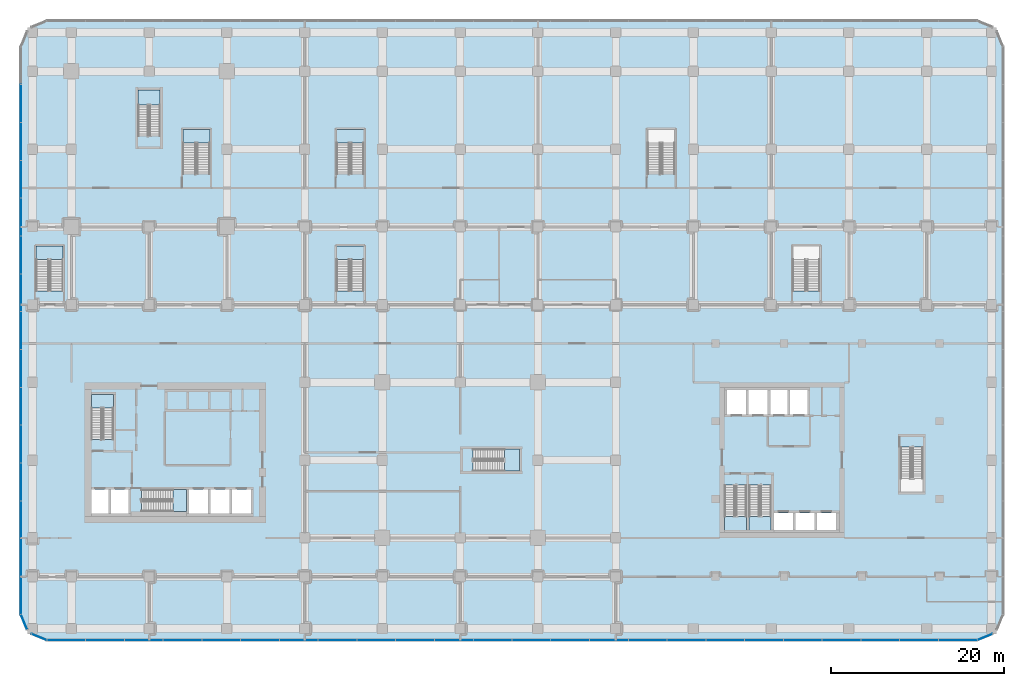
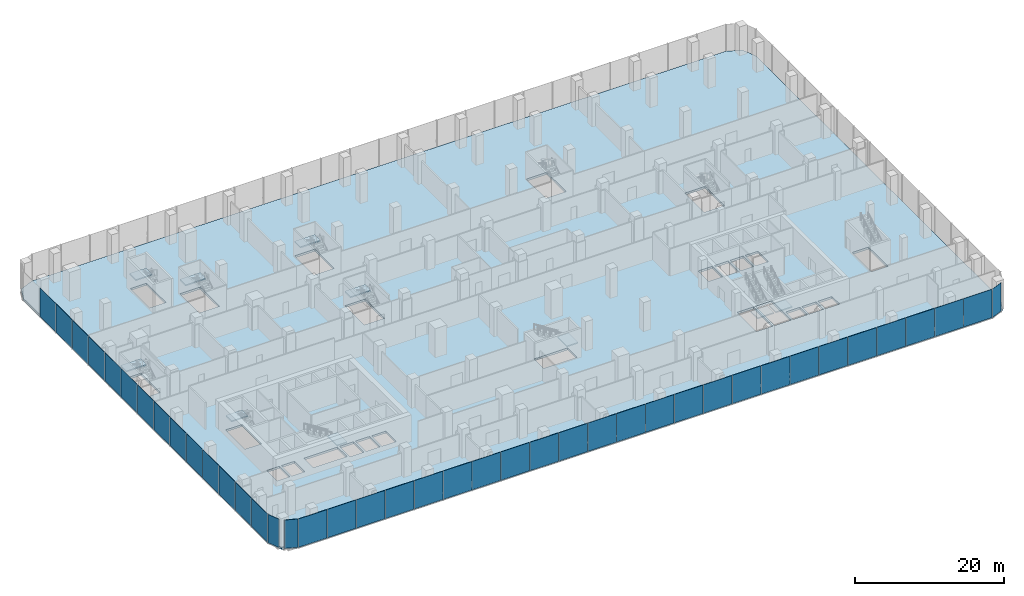
# One storey, part 26 of 42: 41 plates, 11 slabs, 15 elements without a shape of their own.
"""IFC4 building model written with IfcOpenShell, lengths in metres."""

from ifc_helpers import new_model, si_unit, direction, frame, origin, origin_2d, place, context, subcontext, project, spatial, polyline, rectangle, outline, extrude, material, layer, layer_set, type_object, element, aggregate, save


model = new_model("IFC4")

# Units and contexts
model_context = context("Model", 3, precision=1e-05, world=origin(), true_north=direction((0.0, 1.0)))
body_context = subcontext(model_context, "Body", "Model", "MODEL_VIEW")
ifc_project = project(units=[si_unit("LENGTHUNIT", "METRE"), si_unit("AREAUNIT", "SQUARE_METRE"), si_unit("VOLUMEUNIT", "CUBIC_METRE"), si_unit("PLANEANGLEUNIT", "RADIAN"), si_unit("MASSUNIT", "GRAM", prefix="KILO")], contexts=[model_context])

# Site, building, storey
site_placement = place(None, origin())
site = spatial("IfcSite", under=ifc_project, at=site_placement, CompositionType="ELEMENT")
building_placement = place(site_placement, origin())
building = spatial("IfcBuilding", under=site, at=building_placement, Name="Plateau Cross Towers", CompositionType="ELEMENT")
storey_placement = place(building_placement, frame((0.0, 0.0, 8.0)))
storey = spatial("IfcBuildingStorey", under=building, at=storey_placement, Name="L01", CompositionType="ELEMENT", Elevation=8.0)

# Curtain wall, plates
ifc_material_1 = material(Name="Dark low-iron laminated glass", Category="glass")
ifc_layer_1 = layer(ifc_material_1, 0.300048828125)
ifc_layer_set_1 = layer_set([ifc_layer_1], Name="Dark low-iron laminated glass")
curtain_wall_type = type_object("IfcCurtainWallType", Name="Curtain wall structural silicone CW-C", PredefinedType="NOTDEFINED", material=ifc_layer_set_1)
curtain_wall_1_placement = place(storey_placement, origin())
curtain_wall_1 = element("IfcCurtainWall", 1, at=curtain_wall_1_placement, inside=storey, type_object=curtain_wall_type, Name="ENV/P/L01/P-28_-118", PredefinedType="NOTDEFINED")
ifc_layer_2 = layer(ifc_material_1, 0.0439453125)
ifc_layer_set_2 = layer_set([ifc_layer_2], Name="Dark low-iron laminated glass")
plate_type = type_object("IfcPlateType", Name="Glass panel 44 structural silicone", PredefinedType="CURTAIN_PANEL", material=ifc_layer_set_2)
plate_1_placement = place(storey_placement, frame((-0.606201171875, -11.85009765625, -0.199951171875), z_axis=(0.0, 0.0, 1.0), x_axis=(1.0, 0.0, 0.0)))
plate_1 = element("IfcPlate", 2, at=plate_1_placement, type_object=plate_type, Name="CW-C panel 1", PredefinedType="CURTAIN_PANEL", context=body_context, shape_type="SweptSolid", body=[
    extrude(rectangle(XDim=4.4375, YDim=0.0439453125, at=origin_2d()), origin(), (0.0, 0.0, 1.0), 4.64990234375),
])
plate_2_placement = place(storey_placement, frame((3.88134765625, -11.85009765625, -0.199951171875), z_axis=(0.0, 0.0, 1.0), x_axis=(1.0, 0.0, 0.0)))
plate_2 = element("IfcPlate", 3, at=plate_2_placement, type_object=plate_type, Name="CW-C panel 2", PredefinedType="CURTAIN_PANEL", context=body_context, shape_type="SweptSolid", body=[
    extrude(rectangle(XDim=4.4375, YDim=0.0439453125, at=origin_2d()), origin(), (0.0, 0.0, 1.0), 4.64990234375),
])
plate_3_placement = place(storey_placement, frame((8.36865234375, -11.85009765625, -0.199951171875), z_axis=(0.0, 0.0, 1.0), x_axis=(1.0, 0.0, 0.0)))
plate_3 = element("IfcPlate", 4, at=plate_3_placement, type_object=plate_type, Name="CW-C panel 3", PredefinedType="CURTAIN_PANEL", context=body_context, shape_type="SweptSolid", body=[
    extrude(rectangle(XDim=4.4375, YDim=0.0439453125, at=origin_2d()), origin(), (0.0, 0.0, 1.0), 4.64990234375),
])
plate_4_placement = place(storey_placement, frame((12.856201171875, -11.85009765625, -0.199951171875), z_axis=(0.0, 0.0, 1.0), x_axis=(1.0, 0.0, 0.0)))
plate_4 = element("IfcPlate", 5, at=plate_4_placement, type_object=plate_type, Name="CW-C panel 4", PredefinedType="CURTAIN_PANEL", context=body_context, shape_type="SweptSolid", body=[
    extrude(rectangle(XDim=4.4375, YDim=0.0439453125, at=origin_2d()), origin(), (0.0, 0.0, 1.0), 4.64990234375),
])
plate_5_placement = place(storey_placement, frame((17.34375, -11.85009765625, -0.199951171875), z_axis=(0.0, 0.0, 1.0), x_axis=(1.0, 0.0, 0.0)))
plate_5 = element("IfcPlate", 6, at=plate_5_placement, type_object=plate_type, Name="CW-C panel 5", PredefinedType="CURTAIN_PANEL", context=body_context, shape_type="SweptSolid", body=[
    extrude(rectangle(XDim=4.4375, YDim=0.0439453125, at=origin_2d()), origin(), (0.0, 0.0, 1.0), 4.64990234375),
])
plate_6_placement = place(storey_placement, frame((21.831298828125, -11.85009765625, -0.199951171875), z_axis=(0.0, 0.0, 1.0), x_axis=(1.0, 0.0, 0.0)))
plate_6 = element("IfcPlate", 7, at=plate_6_placement, type_object=plate_type, Name="CW-C panel 6", PredefinedType="CURTAIN_PANEL", context=body_context, shape_type="SweptSolid", body=[
    extrude(rectangle(XDim=4.4375, YDim=0.0439453125, at=origin_2d()), origin(), (0.0, 0.0, 1.0), 4.64990234375),
])
plate_7_placement = place(storey_placement, frame((26.31884765625, -11.85009765625, -0.199951171875), z_axis=(0.0, 0.0, 1.0), x_axis=(1.0, 0.0, 0.0)))
plate_7 = element("IfcPlate", 8, at=plate_7_placement, type_object=plate_type, Name="CW-C panel 7", PredefinedType="CURTAIN_PANEL", context=body_context, shape_type="SweptSolid", body=[
    extrude(rectangle(XDim=4.4375, YDim=0.0439453125, at=origin_2d()), origin(), (0.0, 0.0, 1.0), 4.64990234375),
])
plate_8_placement = place(storey_placement, frame((30.80615234375, -11.85009765625, -0.199951171875), z_axis=(0.0, 0.0, 1.0), x_axis=(1.0, 0.0, 0.0)))
plate_8 = element("IfcPlate", 9, at=plate_8_placement, type_object=plate_type, Name="CW-C panel 8", PredefinedType="CURTAIN_PANEL", context=body_context, shape_type="SweptSolid", body=[
    extrude(rectangle(XDim=4.4375, YDim=0.0439453125, at=origin_2d()), origin(), (0.0, 0.0, 1.0), 4.64990234375),
])
plate_9_placement = place(storey_placement, frame((35.293701171875, -11.85009765625, -0.199951171875), z_axis=(0.0, 0.0, 1.0), x_axis=(1.0, 0.0, 0.0)))
plate_9 = element("IfcPlate", 10, at=plate_9_placement, type_object=plate_type, Name="CW-C panel 9", PredefinedType="CURTAIN_PANEL", context=body_context, shape_type="SweptSolid", body=[
    extrude(rectangle(XDim=4.4375, YDim=0.0439453125, at=origin_2d()), origin(), (0.0, 0.0, 1.0), 4.64990234375),
])
plate_10_placement = place(storey_placement, frame((39.78125, -11.85009765625, -0.199951171875), z_axis=(0.0, 0.0, 1.0), x_axis=(1.0, 0.0, 0.0)))
plate_10 = element("IfcPlate", 11, at=plate_10_placement, type_object=plate_type, Name="CW-C panel 10", PredefinedType="CURTAIN_PANEL", context=body_context, shape_type="SweptSolid", body=[
    extrude(rectangle(XDim=4.4375, YDim=0.0439453125, at=origin_2d()), origin(), (0.0, 0.0, 1.0), 4.64990234375),
])
plate_11_placement = place(storey_placement, frame((44.268798828125, -11.85009765625, -0.199951171875), z_axis=(0.0, 0.0, 1.0), x_axis=(1.0, 0.0, 0.0)))
plate_11 = element("IfcPlate", 12, at=plate_11_placement, type_object=plate_type, Name="CW-C panel 11", PredefinedType="CURTAIN_PANEL", context=body_context, shape_type="SweptSolid", body=[
    extrude(rectangle(XDim=4.4375, YDim=0.0439453125, at=origin_2d()), origin(), (0.0, 0.0, 1.0), 4.64990234375),
])
plate_12_placement = place(storey_placement, frame((48.75634765625, -11.85009765625, -0.199951171875), z_axis=(0.0, 0.0, 1.0), x_axis=(1.0, 0.0, 0.0)))
plate_12 = element("IfcPlate", 13, at=plate_12_placement, type_object=plate_type, Name="CW-C panel 12", PredefinedType="CURTAIN_PANEL", context=body_context, shape_type="SweptSolid", body=[
    extrude(rectangle(XDim=4.4375, YDim=0.0439453125, at=origin_2d()), origin(), (0.0, 0.0, 1.0), 4.64990234375),
])
plate_13_placement = place(storey_placement, frame((53.24365234375, -11.85009765625, -0.199951171875), z_axis=(0.0, 0.0, 1.0), x_axis=(1.0, 0.0, 0.0)))
plate_13 = element("IfcPlate", 14, at=plate_13_placement, type_object=plate_type, Name="CW-C panel 13", PredefinedType="CURTAIN_PANEL", context=body_context, shape_type="SweptSolid", body=[
    extrude(rectangle(XDim=4.4375, YDim=0.0439453125, at=origin_2d()), origin(), (0.0, 0.0, 1.0), 4.64990234375),
])
plate_14_placement = place(storey_placement, frame((57.731201171875, -11.85009765625, -0.199951171875), z_axis=(0.0, 0.0, 1.0), x_axis=(1.0, 0.0, 0.0)))
plate_14 = element("IfcPlate", 15, at=plate_14_placement, type_object=plate_type, Name="CW-C panel 14", PredefinedType="CURTAIN_PANEL", context=body_context, shape_type="SweptSolid", body=[
    extrude(rectangle(XDim=4.4375, YDim=0.0439453125, at=origin_2d()), origin(), (0.0, 0.0, 1.0), 4.64990234375),
])
plate_15_placement = place(storey_placement, frame((62.21875, -11.85009765625, -0.199951171875), z_axis=(0.0, 0.0, 1.0), x_axis=(1.0, 0.0, 0.0)))
plate_15 = element("IfcPlate", 16, at=plate_15_placement, type_object=plate_type, Name="CW-C panel 15", PredefinedType="CURTAIN_PANEL", context=body_context, shape_type="SweptSolid", body=[
    extrude(rectangle(XDim=4.4375, YDim=0.0439453125, at=origin_2d()), origin(), (0.0, 0.0, 1.0), 4.64990234375),
])
plate_16_placement = place(storey_placement, frame((66.706298828125, -11.85009765625, -0.199951171875), z_axis=(0.0, 0.0, 1.0), x_axis=(1.0, 0.0, 0.0)))
plate_16 = element("IfcPlate", 17, at=plate_16_placement, type_object=plate_type, Name="CW-C panel 16", PredefinedType="CURTAIN_PANEL", context=body_context, shape_type="SweptSolid", body=[
    extrude(rectangle(XDim=4.4375, YDim=0.0439453125, at=origin_2d()), origin(), (0.0, 0.0, 1.0), 4.64990234375),
])
plate_17_placement = place(storey_placement, frame((71.19384765625, -11.85009765625, -0.199951171875), z_axis=(0.0, 0.0, 1.0), x_axis=(1.0, 0.0, 0.0)))
plate_17 = element("IfcPlate", 18, at=plate_17_placement, type_object=plate_type, Name="CW-C panel 17", PredefinedType="CURTAIN_PANEL", context=body_context, shape_type="SweptSolid", body=[
    extrude(rectangle(XDim=4.4375, YDim=0.0439453125, at=origin_2d()), origin(), (0.0, 0.0, 1.0), 4.64990234375),
])
plate_18_placement = place(storey_placement, frame((75.68115234375, -11.85009765625, -0.199951171875), z_axis=(0.0, 0.0, 1.0), x_axis=(1.0, 0.0, 0.0)))
plate_18 = element("IfcPlate", 19, at=plate_18_placement, type_object=plate_type, Name="CW-C panel 18", PredefinedType="CURTAIN_PANEL", context=body_context, shape_type="SweptSolid", body=[
    extrude(rectangle(XDim=4.4375, YDim=0.0439453125, at=origin_2d()), origin(), (0.0, 0.0, 1.0), 4.64990234375),
])
plate_19_placement = place(storey_placement, frame((80.168701171875, -11.85009765625, -0.199951171875), z_axis=(0.0, 0.0, 1.0), x_axis=(1.0, 0.0, 0.0)))
plate_19 = element("IfcPlate", 20, at=plate_19_placement, type_object=plate_type, Name="CW-C panel 19", PredefinedType="CURTAIN_PANEL", context=body_context, shape_type="SweptSolid", body=[
    extrude(rectangle(XDim=4.4375, YDim=0.0439453125, at=origin_2d()), origin(), (0.0, 0.0, 1.0), 4.64990234375),
])
plate_20_placement = place(storey_placement, frame((84.65625, -11.85009765625, -0.199951171875), z_axis=(0.0, 0.0, 1.0), x_axis=(1.0, 0.0, 0.0)))
plate_20 = element("IfcPlate", 21, at=plate_20_placement, type_object=plate_type, Name="CW-C panel 20", PredefinedType="CURTAIN_PANEL", context=body_context, shape_type="SweptSolid", body=[
    extrude(rectangle(XDim=4.4375, YDim=0.0439453125, at=origin_2d()), origin(), (0.0, 0.0, 1.0), 4.64990234375),
])
plate_21_placement = place(storey_placement, frame((89.143798828125, -11.85009765625, -0.199951171875), z_axis=(0.0, 0.0, 1.0), x_axis=(1.0, 0.0, 0.0)))
plate_21 = element("IfcPlate", 22, at=plate_21_placement, type_object=plate_type, Name="CW-C panel 21", PredefinedType="CURTAIN_PANEL", context=body_context, shape_type="SweptSolid", body=[
    extrude(rectangle(XDim=4.4375, YDim=0.0439453125, at=origin_2d()), origin(), (0.0, 0.0, 1.0), 4.64990234375),
])
plate_22_placement = place(storey_placement, frame((93.63134765625, -11.85009765625, -0.199951171875), z_axis=(0.0, 0.0, 1.0), x_axis=(1.0, 0.0, 0.0)))
plate_22 = element("IfcPlate", 23, at=plate_22_placement, type_object=plate_type, Name="CW-C panel 22", PredefinedType="CURTAIN_PANEL", context=body_context, shape_type="SweptSolid", body=[
    extrude(rectangle(XDim=4.4375, YDim=0.0439453125, at=origin_2d()), origin(), (0.0, 0.0, 1.0), 4.64990234375),
])
plate_23_placement = place(storey_placement, frame((98.11865234375, -11.85009765625, -0.199951171875), z_axis=(0.0, 0.0, 1.0), x_axis=(1.0, 0.0, 0.0)))
plate_23 = element("IfcPlate", 24, at=plate_23_placement, type_object=plate_type, Name="CW-C panel 23", PredefinedType="CURTAIN_PANEL", context=body_context, shape_type="SweptSolid", body=[
    extrude(rectangle(XDim=4.4375, YDim=0.0439453125, at=origin_2d()), origin(), (0.0, 0.0, 1.0), 4.64990234375),
])
plate_24_placement = place(storey_placement, frame((102.606201171875, -11.85009765625, -0.199951171875), z_axis=(0.0, 0.0, 1.0), x_axis=(1.0, 0.0, 0.0)))
plate_24 = element("IfcPlate", 25, at=plate_24_placement, type_object=plate_type, Name="CW-C panel 24", PredefinedType="CURTAIN_PANEL", context=body_context, shape_type="SweptSolid", body=[
    extrude(rectangle(XDim=4.4375, YDim=0.0439453125, at=origin_2d()), origin(), (0.0, 0.0, 1.0), 4.64990234375),
])
aggregate(curtain_wall_1, [plate_1, plate_2, plate_3, plate_4, plate_5, plate_6, plate_7, plate_8, plate_9, plate_10, plate_11, plate_12, plate_13, plate_14, plate_15, plate_16, plate_17, plate_18, plate_19, plate_20, plate_21, plate_22, plate_23, plate_24])

# Curtain wall, plate
curtain_wall_2_placement = place(storey_placement, origin())
curtain_wall_2 = element("IfcCurtainWall", 26, at=curtain_wall_2_placement, inside=storey, type_object=curtain_wall_type, Name="ENV/P/L01/P1048_-118", PredefinedType="NOTDEFINED")
plate_25_placement = place(storey_placement, frame((105.731201171875, -11.485107421875, -0.199951171875), z_axis=(0.0, 0.0, 1.0), x_axis=(0.923879457699, 0.382683612978, 0.0)))
plate_25 = element("IfcPlate", 27, at=plate_25_placement, type_object=plate_type, Name="CW-C panel 1", PredefinedType="CURTAIN_PANEL", context=body_context, shape_type="SweptSolid", body=[
    extrude(rectangle(XDim=1.857666015625, YDim=0.0439453125, at=origin_2d()), origin(), (0.0, 0.0, 1.0), 4.64990234375),
])
aggregate(curtain_wall_2, [plate_25])

# Curtain wall, plates
curtain_wall_3_placement = place(storey_placement, origin())
curtain_wall_3 = element("IfcCurtainWall", 28, at=curtain_wall_3_placement, inside=storey, type_object=curtain_wall_type, Name="ENV/P/L01/P-58_568", PredefinedType="NOTDEFINED")
plate_26_placement = place(storey_placement, frame((-5.85009765625, 50.280029296875, -0.199951171875), z_axis=(0.0, 0.0, 1.0), x_axis=(0.0, -1.0, 0.0)))
plate_26 = element("IfcPlate", 29, at=plate_26_placement, type_object=plate_type, Name="CW-C panel 2", PredefinedType="CURTAIN_PANEL", context=body_context, shape_type="SweptSolid", body=[
    extrude(rectangle(XDim=4.330078125, YDim=0.0439453125, at=origin_2d()), origin(), (0.0, 0.0, 1.0), 4.64990234375),
])
plate_27_placement = place(storey_placement, frame((-5.85009765625, 45.89990234375, -0.199951171875), z_axis=(0.0, 0.0, 1.0), x_axis=(0.0, -1.0, 0.0)))
plate_27 = element("IfcPlate", 30, at=plate_27_placement, type_object=plate_type, Name="CW-C panel 3", PredefinedType="CURTAIN_PANEL", context=body_context, shape_type="SweptSolid", body=[
    extrude(rectangle(XDim=4.330078125, YDim=0.0439453125, at=origin_2d()), origin(), (0.0, 0.0, 1.0), 4.64990234375),
])
plate_28_placement = place(storey_placement, frame((-5.85009765625, 41.52001953125, -0.199951171875), z_axis=(0.0, 0.0, 1.0), x_axis=(0.0, -1.0, 0.0)))
plate_28 = element("IfcPlate", 31, at=plate_28_placement, type_object=plate_type, Name="CW-C panel 4", PredefinedType="CURTAIN_PANEL", context=body_context, shape_type="SweptSolid", body=[
    extrude(rectangle(XDim=4.330078125, YDim=0.0439453125, at=origin_2d()), origin(), (0.0, 0.0, 1.0), 4.64990234375),
])
plate_29_placement = place(storey_placement, frame((-5.85009765625, 37.139892578125, -0.199951171875), z_axis=(0.0, 0.0, 1.0), x_axis=(0.0, -1.0, 0.0)))
plate_29 = element("IfcPlate", 32, at=plate_29_placement, type_object=plate_type, Name="CW-C panel 5", PredefinedType="CURTAIN_PANEL", context=body_context, shape_type="SweptSolid", body=[
    extrude(rectangle(XDim=4.330078125, YDim=0.0439453125, at=origin_2d()), origin(), (0.0, 0.0, 1.0), 4.64990234375),
])
plate_30_placement = place(storey_placement, frame((-5.85009765625, 32.760009765625, -0.199951171875), z_axis=(0.0, 0.0, 1.0), x_axis=(0.0, -1.0, 0.0)))
plate_30 = element("IfcPlate", 33, at=plate_30_placement, type_object=plate_type, Name="CW-C panel 6", PredefinedType="CURTAIN_PANEL", context=body_context, shape_type="SweptSolid", body=[
    extrude(rectangle(XDim=4.330078125, YDim=0.0439453125, at=origin_2d()), origin(), (0.0, 0.0, 1.0), 4.64990234375),
])
plate_31_placement = place(storey_placement, frame((-5.85009765625, 28.3798828125, -0.199951171875), z_axis=(0.0, 0.0, 1.0), x_axis=(0.0, -1.0, 0.0)))
plate_31 = element("IfcPlate", 34, at=plate_31_placement, type_object=plate_type, Name="CW-C panel 7", PredefinedType="CURTAIN_PANEL", context=body_context, shape_type="SweptSolid", body=[
    extrude(rectangle(XDim=4.330078125, YDim=0.0439453125, at=origin_2d()), origin(), (0.0, 0.0, 1.0), 4.64990234375),
])
plate_32_placement = place(storey_placement, frame((-5.85009765625, 24.0, -0.199951171875), z_axis=(0.0, 0.0, 1.0), x_axis=(0.0, -1.0, 0.0)))
plate_32 = element("IfcPlate", 35, at=plate_32_placement, type_object=plate_type, Name="CW-C panel 8", PredefinedType="CURTAIN_PANEL", context=body_context, shape_type="SweptSolid", body=[
    extrude(rectangle(XDim=4.330078125, YDim=0.0439453125, at=origin_2d()), origin(), (0.0, 0.0, 1.0), 4.64990234375),
])
plate_33_placement = place(storey_placement, frame((-5.85009765625, 19.6201171875, -0.199951171875), z_axis=(0.0, 0.0, 1.0), x_axis=(0.0, -1.0, 0.0)))
plate_33 = element("IfcPlate", 36, at=plate_33_placement, type_object=plate_type, Name="CW-C panel 9", PredefinedType="CURTAIN_PANEL", context=body_context, shape_type="SweptSolid", body=[
    extrude(rectangle(XDim=4.330078125, YDim=0.0439453125, at=origin_2d()), origin(), (0.0, 0.0, 1.0), 4.64990234375),
])
plate_34_placement = place(storey_placement, frame((-5.85009765625, 15.239990234375, -0.199951171875), z_axis=(0.0, 0.0, 1.0), x_axis=(0.0, -1.0, 0.0)))
plate_34 = element("IfcPlate", 37, at=plate_34_placement, type_object=plate_type, Name="CW-C panel 10", PredefinedType="CURTAIN_PANEL", context=body_context, shape_type="SweptSolid", body=[
    extrude(rectangle(XDim=4.330078125, YDim=0.0439453125, at=origin_2d()), origin(), (0.0, 0.0, 1.0), 4.64990234375),
])
plate_35_placement = place(storey_placement, frame((-5.85009765625, 10.860107421875, -0.199951171875), z_axis=(0.0, 0.0, 1.0), x_axis=(0.0, -1.0, 0.0)))
plate_35 = element("IfcPlate", 38, at=plate_35_placement, type_object=plate_type, Name="CW-C panel 11", PredefinedType="CURTAIN_PANEL", context=body_context, shape_type="SweptSolid", body=[
    extrude(rectangle(XDim=4.330078125, YDim=0.0439453125, at=origin_2d()), origin(), (0.0, 0.0, 1.0), 4.64990234375),
])
plate_36_placement = place(storey_placement, frame((-5.85009765625, 6.47998046875, -0.199951171875), z_axis=(0.0, 0.0, 1.0), x_axis=(0.0, -1.0, 0.0)))
plate_36 = element("IfcPlate", 39, at=plate_36_placement, type_object=plate_type, Name="CW-C panel 12", PredefinedType="CURTAIN_PANEL", context=body_context, shape_type="SweptSolid", body=[
    extrude(rectangle(XDim=4.330078125, YDim=0.0439453125, at=origin_2d()), origin(), (0.0, 0.0, 1.0), 4.64990234375),
])
plate_37_placement = place(storey_placement, frame((-5.85009765625, 2.10009765625, -0.199951171875), z_axis=(0.0, 0.0, 1.0), x_axis=(0.0, -1.0, 0.0)))
plate_37 = element("IfcPlate", 40, at=plate_37_placement, type_object=plate_type, Name="CW-C panel 13", PredefinedType="CURTAIN_PANEL", context=body_context, shape_type="SweptSolid", body=[
    extrude(rectangle(XDim=4.330078125, YDim=0.0439453125, at=origin_2d()), origin(), (0.0, 0.0, 1.0), 4.64990234375),
])
plate_38_placement = place(storey_placement, frame((-5.85009765625, -2.280029296875, -0.199951171875), z_axis=(0.0, 0.0, 1.0), x_axis=(0.0, -1.0, 0.0)))
plate_38 = element("IfcPlate", 41, at=plate_38_placement, type_object=plate_type, Name="CW-C panel 14", PredefinedType="CURTAIN_PANEL", context=body_context, shape_type="SweptSolid", body=[
    extrude(rectangle(XDim=4.330078125, YDim=0.0439453125, at=origin_2d()), origin(), (0.0, 0.0, 1.0), 4.64990234375),
])
plate_39_placement = place(storey_placement, frame((-5.85009765625, -6.659912109375, -0.199951171875), z_axis=(0.0, 0.0, 1.0), x_axis=(0.0, -1.0, 0.0)))
plate_39 = element("IfcPlate", 42, at=plate_39_placement, type_object=plate_type, Name="CW-C panel 15", PredefinedType="CURTAIN_PANEL", context=body_context, shape_type="SweptSolid", body=[
    extrude(rectangle(XDim=4.330078125, YDim=0.0439453125, at=origin_2d()), origin(), (0.0, 0.0, 1.0), 4.64990234375),
])
aggregate(curtain_wall_3, [plate_26, plate_27, plate_28, plate_29, plate_30, plate_31, plate_32, plate_33, plate_34, plate_35, plate_36, plate_37, plate_38, plate_39])

# Curtain wall, plate
curtain_wall_4_placement = place(storey_placement, origin())
curtain_wall_4 = element("IfcCurtainWall", 43, at=curtain_wall_4_placement, inside=storey, type_object=curtain_wall_type, Name="ENV/P/L01/P-58_-88", PredefinedType="NOTDEFINED")
plate_40_placement = place(storey_placement, frame((-5.485107421875, -9.731201171875, -0.199951171875), z_axis=(0.0, 0.0, 1.0), x_axis=(0.382683612978, -0.923879457699, 0.0)))
plate_40 = element("IfcPlate", 44, at=plate_40_placement, type_object=plate_type, Name="CW-C panel 1", PredefinedType="CURTAIN_PANEL", context=body_context, shape_type="SweptSolid", body=[
    extrude(rectangle(XDim=1.857666015625, YDim=0.0439453125, at=origin_2d()), origin(), (0.0, 0.0, 1.0), 4.64990234375),
])
aggregate(curtain_wall_4, [plate_40])

curtain_wall_5_placement = place(storey_placement, origin())
curtain_wall_5 = element("IfcCurtainWall", 45, at=curtain_wall_5_placement, inside=storey, type_object=curtain_wall_type, Name="ENV/P/L01/P-46_-111", PredefinedType="NOTDEFINED")
plate_41_placement = place(storey_placement, frame((-3.731201171875, -11.485107421875, -0.199951171875), z_axis=(0.0, 0.0, 1.0), x_axis=(0.923879457699, -0.382683612978, 0.0)))
plate_41 = element("IfcPlate", 46, at=plate_41_placement, type_object=plate_type, Name="CW-C panel 1", PredefinedType="CURTAIN_PANEL", context=body_context, shape_type="SweptSolid", body=[
    extrude(rectangle(XDim=1.857666015625, YDim=0.0439453125, at=origin_2d()), origin(), (0.0, 0.0, 1.0), 4.64990234375),
])
aggregate(curtain_wall_5, [plate_41])

# Slab
ifc_material_2 = material(Name="Concrete C40/50", Category="concrete")
ifc_layer_3 = layer(ifc_material_2, 0.35009765625)
ifc_layer_set_3 = layer_set([ifc_layer_3], Name="Concrete C40/50")
slab_type_1 = type_object("IfcSlabType", Name="Post-tensioned flat plate slab 350", PredefinedType="FLOOR", material=ifc_layer_set_3)
slab_1_placement = place(storey_placement, frame((0.0, 0.0, -0.35009765625)))
element("IfcSlab", 47, at=slab_1_placement, inside=storey, type_object=slab_type_1, Name="SL-P-L01", PredefinedType="FLOOR", context=body_context, shape_type="SweptSolid", body=[
    extrude(outline(polyline([(-4.971435546875, -10.971435546875), (-5.85009765625, -8.85009765625), (-5.85009765625, 56.85009765625), (-4.971435546875, 58.971435546875), (-2.85009765625, 59.85009765625), (104.85009765625, 59.85009765625), (106.971435546875, 58.971435546875), (107.85009765625, 56.85009765625), (107.85009765625, -8.85009765625), (106.971435546875, -10.971435546875), (104.85009765625, -11.85009765625), (-2.85009765625, -11.85009765625), (-4.971435546875, -10.971435546875)]), holes=[polyline([(4.300048828125, 2.800048828125), (4.300048828125, 5.60009765625), (2.300048828125, 5.60009765625), (2.300048828125, 2.800048828125), (4.300048828125, 2.800048828125)]), polyline([(4.60009765625, 2.800048828125), (6.60009765625, 2.800048828125), (6.60009765625, 5.60009765625), (4.60009765625, 5.60009765625), (4.60009765625, 2.800048828125)]), polyline([(13.60009765625, 2.800048828125), (15.800048828125, 2.800048828125), (15.800048828125, 5.60009765625), (13.60009765625, 5.60009765625), (13.60009765625, 2.800048828125)]), polyline([(18.300048828125, 2.800048828125), (18.300048828125, 5.60009765625), (16.10009765625, 5.60009765625), (16.10009765625, 2.800048828125), (18.300048828125, 2.800048828125)]), polyline([(18.60009765625, 2.800048828125), (20.800048828125, 2.800048828125), (20.800048828125, 5.60009765625), (18.60009765625, 5.60009765625), (18.60009765625, 2.800048828125)]), polyline([(8.10009765625, 3.050048828125), (13.300048828125, 3.050048828125), (13.300048828125, 5.60009765625), (8.10009765625, 5.60009765625), (8.10009765625, 3.050048828125)]), polyline([(51.699951171875, 7.72509765625), (51.699951171875, 10.27490234375), (46.5, 10.27490234375), (46.5, 7.72509765625), (51.699951171875, 7.72509765625)]), polyline([(4.85009765625, 11.39990234375), (4.85009765625, 16.60009765625), (2.300048828125, 16.60009765625), (2.300048828125, 11.39990234375), (4.85009765625, 11.39990234375)]), polyline([(-0.949951171875, 28.60009765625), (-0.949951171875, 33.800048828125), (-4.10009765625, 33.800048828125), (-4.10009765625, 28.60009765625), (-0.949951171875, 28.60009765625)]), polyline([(33.85009765625, 33.800048828125), (30.699951171875, 33.800048828125), (30.699951171875, 28.60009765625), (33.85009765625, 28.60009765625), (33.85009765625, 33.800048828125)]), polyline([(16.050048828125, 42.10009765625), (16.050048828125, 47.300048828125), (12.89990234375, 47.300048828125), (12.89990234375, 42.10009765625), (16.050048828125, 42.10009765625)]), polyline([(33.85009765625, 42.10009765625), (33.85009765625, 47.300048828125), (30.699951171875, 47.300048828125), (30.699951171875, 42.10009765625), (33.85009765625, 42.10009765625)]), polyline([(10.27490234375, 51.699951171875), (7.72509765625, 51.699951171875), (7.72509765625, 46.5), (10.27490234375, 46.5), (10.27490234375, 51.699951171875)]), polyline([(81.300048828125, 0.89990234375), (83.5, 0.89990234375), (83.5, 2.89990234375), (81.300048828125, 2.89990234375), (81.300048828125, 0.89990234375)]), polyline([(83.800048828125, 0.89990234375), (86.0, 0.89990234375), (86.0, 2.89990234375), (83.800048828125, 2.89990234375), (83.800048828125, 0.89990234375)]), polyline([(88.5, 0.89990234375), (88.5, 2.89990234375), (86.300048828125, 2.89990234375), (86.300048828125, 0.89990234375), (88.5, 0.89990234375)]), polyline([(75.60009765625, 6.10009765625), (75.60009765625, 0.89990234375), (78.14990234375, 0.89990234375), (78.14990234375, 6.10009765625), (75.60009765625, 6.10009765625)]), polyline([(78.449951171875, 6.10009765625), (78.449951171875, 0.89990234375), (81.0, 0.89990234375), (81.0, 6.10009765625), (78.449951171875, 6.10009765625)]), polyline([(96.0, 5.300048828125), (98.550048828125, 5.300048828125), (98.550048828125, 10.5), (96.0, 10.5), (96.0, 5.300048828125)]), polyline([(75.89990234375, 14.300048828125), (78.10009765625, 14.300048828125), (78.10009765625, 17.10009765625), (75.89990234375, 17.10009765625), (75.89990234375, 14.300048828125)]), polyline([(78.39990234375, 14.300048828125), (80.60009765625, 14.300048828125), (80.60009765625, 17.10009765625), (78.39990234375, 17.10009765625), (78.39990234375, 14.300048828125)]), polyline([(80.89990234375, 14.300048828125), (82.89990234375, 14.300048828125), (82.89990234375, 17.10009765625), (80.89990234375, 17.10009765625), (80.89990234375, 14.300048828125)]), polyline([(83.199951171875, 14.300048828125), (85.199951171875, 14.300048828125), (85.199951171875, 17.10009765625), (83.199951171875, 17.10009765625), (83.199951171875, 14.300048828125)]), polyline([(86.64990234375, 28.60009765625), (86.64990234375, 33.800048828125), (83.5, 33.800048828125), (83.5, 28.60009765625), (86.64990234375, 28.60009765625)]), polyline([(69.85009765625, 42.10009765625), (69.85009765625, 47.300048828125), (66.699951171875, 47.300048828125), (66.699951171875, 42.10009765625), (69.85009765625, 42.10009765625)])]), origin(), (0.0, 0.0, 1.0), 0.35009765625),
])

# Stair, slab
stair_type_1 = type_object("IfcStairType", Name="ST-TWR", PredefinedType="HALF_TURN_STAIR", material=ifc_material_2)
stair_1_placement = place(storey_placement, origin())
stair_1 = element("IfcStair", 48, at=stair_1_placement, inside=storey, type_object=stair_type_1, Name="L01 Protected Exit Stair ST-1", PredefinedType="HALF_TURN_STAIR")
ifc_layer_4 = layer(ifc_material_2, 0.199951171875)
ifc_layer_set_4 = layer_set([ifc_layer_4], Name="Concrete C40/50")
slab_type_2 = type_object("IfcSlabType", Name="SL-LANDING", PredefinedType="LANDING", material=ifc_layer_set_4)
slab_2_placement = place(storey_placement, frame((0.0, 0.0, 2.199951171875)))
slab_2 = element("IfcSlab", 49, at=slab_2_placement, type_object=slab_type_2, Name="ST-1 landing 1", PredefinedType="LANDING", context=body_context, shape_type="SweptSolid", body=[
    extrude(outline(polyline([(4.85009765625, 15.0400390625), (4.85009765625, 16.60009765625), (2.300048828125, 16.60009765625), (2.300048828125, 15.0400390625), (4.85009765625, 15.0400390625)])), origin(), (0.0, 0.0, 1.0), 0.199951171875),
])
aggregate(stair_1, [slab_2])

stair_2_placement = place(storey_placement, origin())
stair_2 = element("IfcStair", 50, at=stair_2_placement, inside=storey, type_object=stair_type_1, Name="L01 Protected Exit Stair ST-2", PredefinedType="HALF_TURN_STAIR")
slab_3_placement = place(storey_placement, frame((0.0, 0.0, 2.199951171875)))
slab_3 = element("IfcSlab", 51, at=slab_3_placement, type_object=slab_type_2, Name="ST-2 landing 1", PredefinedType="LANDING", context=body_context, shape_type="SweptSolid", body=[
    extrude(outline(polyline([(11.739990234375, 3.050048828125), (13.300048828125, 3.050048828125), (13.300048828125, 5.60009765625), (11.739990234375, 5.60009765625), (11.739990234375, 3.050048828125)])), origin(), (0.0, 0.0, 1.0), 0.199951171875),
])
aggregate(stair_2, [slab_3])

stair_3_placement = place(storey_placement, origin())
stair_3 = element("IfcStair", 52, at=stair_3_placement, inside=storey, type_object=stair_type_1, Name="L01 Protected Exit Stair SB-1", PredefinedType="HALF_TURN_STAIR")
slab_4_placement = place(storey_placement, frame((0.0, 0.0, 2.199951171875)))
slab_4 = element("IfcSlab", 53, at=slab_4_placement, type_object=slab_type_2, Name="SB-1 landing 1", PredefinedType="LANDING", context=body_context, shape_type="SweptSolid", body=[
    extrude(outline(polyline([(75.60009765625, 2.4599609375), (75.60009765625, 0.60009765625), (78.14990234375, 0.60009765625), (78.14990234375, 2.4599609375), (75.60009765625, 2.4599609375)])), origin(), (0.0, 0.0, 1.0), 0.199951171875),
])
aggregate(stair_3, [slab_4])

stair_4_placement = place(storey_placement, origin())
stair_4 = element("IfcStair", 54, at=stair_4_placement, inside=storey, type_object=stair_type_1, Name="L01 Protected Exit Stair SB-2", PredefinedType="HALF_TURN_STAIR")
slab_5_placement = place(storey_placement, frame((0.0, 0.0, 2.199951171875)))
slab_5 = element("IfcSlab", 55, at=slab_5_placement, type_object=slab_type_2, Name="SB-2 landing 1", PredefinedType="LANDING", context=body_context, shape_type="SweptSolid", body=[
    extrude(outline(polyline([(78.449951171875, 2.4599609375), (78.449951171875, 0.60009765625), (81.0, 0.60009765625), (81.0, 2.4599609375), (78.449951171875, 2.4599609375)])), origin(), (0.0, 0.0, 1.0), 0.199951171875),
])
aggregate(stair_4, [slab_5])

stair_5_placement = place(storey_placement, origin())
stair_5 = element("IfcStair", 56, at=stair_5_placement, inside=storey, type_object=stair_type_1, Name="L01 Protected Exit Stair E", PredefinedType="HALF_TURN_STAIR")
slab_6_placement = place(storey_placement, frame((0.0, 0.0, 2.199951171875)))
slab_6 = element("IfcSlab", 57, at=slab_6_placement, type_object=slab_type_2, Name="ES-E landing 1", PredefinedType="LANDING", context=body_context, shape_type="SweptSolid", body=[
    extrude(outline(polyline([(50.139892578125, 7.72509765625), (51.85009765625, 7.72509765625), (51.85009765625, 10.27490234375), (50.139892578125, 10.27490234375), (50.139892578125, 7.72509765625)])), origin(), (0.0, 0.0, 1.0), 0.199951171875),
])
aggregate(stair_5, [slab_6])

stair_6_placement = place(storey_placement, origin())
stair_6 = element("IfcStair", 58, at=stair_6_placement, inside=storey, type_object=stair_type_1, Name="L01 Protected Exit Stair N", PredefinedType="HALF_TURN_STAIR")
slab_7_placement = place(storey_placement, frame((0.0, 0.0, 2.199951171875)))
slab_7 = element("IfcSlab", 59, at=slab_7_placement, type_object=slab_type_2, Name="ES-N landing 1", PredefinedType="LANDING", context=body_context, shape_type="SweptSolid", body=[
    extrude(outline(polyline([(10.27490234375, 50.139892578125), (10.27490234375, 51.85009765625), (7.72509765625, 51.85009765625), (7.72509765625, 50.139892578125), (10.27490234375, 50.139892578125)])), origin(), (0.0, 0.0, 1.0), 0.199951171875),
])
aggregate(stair_6, [slab_7])

stair_type_2 = type_object("IfcStairType", Name="Podium exit stair 1500", PredefinedType="HALF_TURN_STAIR", material=ifc_material_2)
stair_7_placement = place(storey_placement, origin())
stair_7 = element("IfcStair", 60, at=stair_7_placement, inside=storey, type_object=stair_type_2, Name="L01 Exit Stair 1", PredefinedType="HALF_TURN_STAIR")
slab_8_placement = place(storey_placement, frame((0.0, 0.0, 2.199951171875)))
slab_8 = element("IfcSlab", 61, at=slab_8_placement, type_object=slab_type_2, Name="PS1 landing 1", PredefinedType="LANDING", context=body_context, shape_type="SweptSolid", body=[
    extrude(outline(polyline([(33.85009765625, 32.239990234375), (33.85009765625, 33.800048828125), (30.699951171875, 33.800048828125), (30.699951171875, 32.239990234375), (33.85009765625, 32.239990234375)])), origin(), (0.0, 0.0, 1.0), 0.199951171875),
])
aggregate(stair_7, [slab_8])

stair_8_placement = place(storey_placement, origin())
stair_8 = element("IfcStair", 62, at=stair_8_placement, inside=storey, type_object=stair_type_2, Name="L01 Exit Stair 2", PredefinedType="HALF_TURN_STAIR")
slab_9_placement = place(storey_placement, frame((0.0, 0.0, 2.199951171875)))
slab_9 = element("IfcSlab", 63, at=slab_9_placement, type_object=slab_type_2, Name="PS2 landing 1", PredefinedType="LANDING", context=body_context, shape_type="SweptSolid", body=[
    extrude(outline(polyline([(33.85009765625, 45.739990234375), (33.85009765625, 47.300048828125), (30.699951171875, 47.300048828125), (30.699951171875, 45.739990234375), (33.85009765625, 45.739990234375)])), origin(), (0.0, 0.0, 1.0), 0.199951171875),
])
aggregate(stair_8, [slab_9])

stair_9_placement = place(storey_placement, origin())
stair_9 = element("IfcStair", 64, at=stair_9_placement, inside=storey, type_object=stair_type_2, Name="L01 Exit Stair 4", PredefinedType="HALF_TURN_STAIR")
slab_10_placement = place(storey_placement, frame((0.0, 0.0, 2.199951171875)))
slab_10 = element("IfcSlab", 65, at=slab_10_placement, type_object=slab_type_2, Name="PS4 landing 1", PredefinedType="LANDING", context=body_context, shape_type="SweptSolid", body=[
    extrude(outline(polyline([(-0.949951171875, 32.239990234375), (-0.949951171875, 33.800048828125), (-4.10009765625, 33.800048828125), (-4.10009765625, 32.239990234375), (-0.949951171875, 32.239990234375)])), origin(), (0.0, 0.0, 1.0), 0.199951171875),
])
aggregate(stair_9, [slab_10])

stair_10_placement = place(storey_placement, origin())
stair_10 = element("IfcStair", 66, at=stair_10_placement, inside=storey, type_object=stair_type_2, Name="L01 Exit Stair 6", PredefinedType="HALF_TURN_STAIR")
slab_11_placement = place(storey_placement, frame((0.0, 0.0, 2.199951171875)))
slab_11 = element("IfcSlab", 67, at=slab_11_placement, type_object=slab_type_2, Name="PS6 landing 1", PredefinedType="LANDING", context=body_context, shape_type="SweptSolid", body=[
    extrude(outline(polyline([(16.050048828125, 45.739990234375), (16.050048828125, 47.300048828125), (12.89990234375, 47.300048828125), (12.89990234375, 45.739990234375), (16.050048828125, 45.739990234375)])), origin(), (0.0, 0.0, 1.0), 0.199951171875),
])
aggregate(stair_10, [slab_11])

save(model, "model.ifc")
